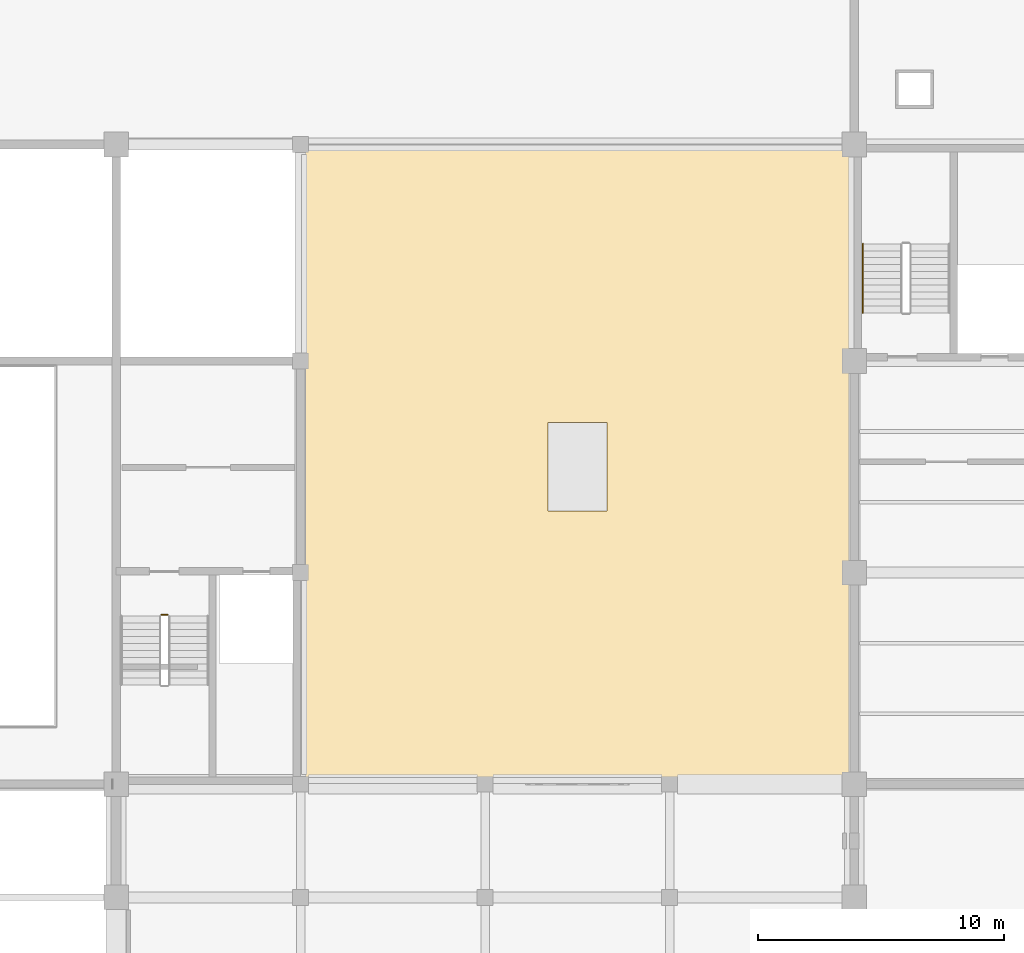
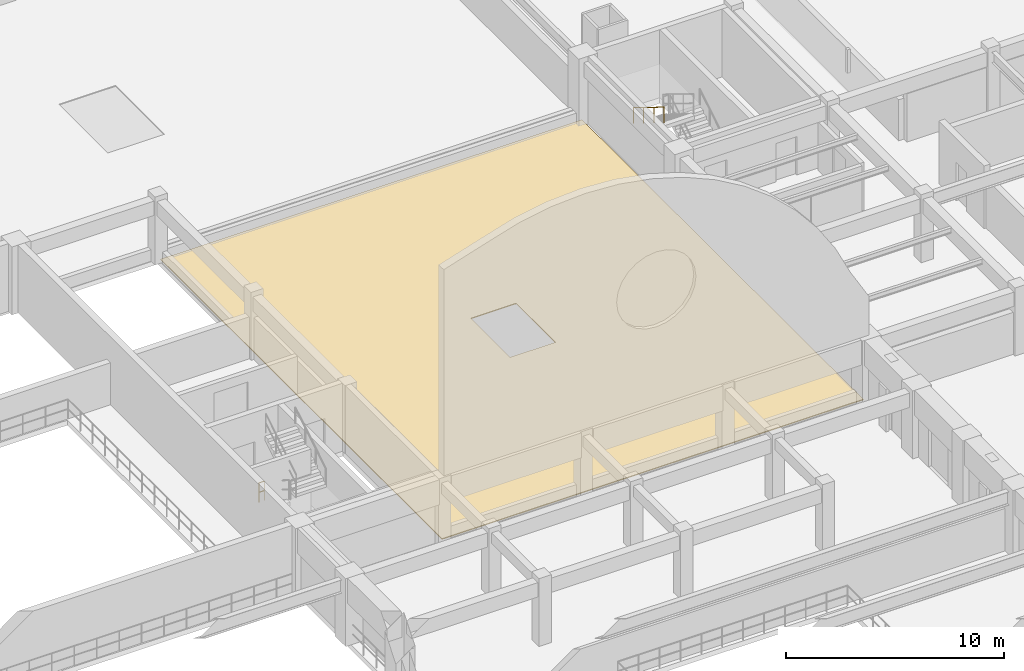
# One storey, part 72 of 74: 2 railings, 1 covering.
"""IFC4 building model written with IfcOpenShell, lengths in metres."""

import ifcopenshell
import ifcopenshell.guid

model = None  # the IFC model being written
_history = None  # IfcOwnerHistory: only IFC2X3 demands one
_inside = {}  # id of a spatial element -> (the spatial element, [elements in it])
_under = {}  # id of a project, library or spatial element -> (it, [spatial elements below it])
_declared = {}  # id of a project -> (the project, [libraries it declares])
_typed = {}  # id of a type object -> (the type object, [elements of that type])
_made_of = {}  # id of a material, layer set ... -> (it, [elements and type objects made of it])


def new_model(schema):
    """Start an empty IFC model of exactly this schema.

    Asked for "IFC4X3", IfcOpenShell would pick the latest addendum, in which some entities
    have other attributes; the version numbers below select the first issue.
    IFC2X3 requires an IfcOwnerHistory on every rooted entity: one is made here for all.
    """
    global model, _history
    if schema == "IFC4X3":
        model = ifcopenshell.file(schema_version=(4, 3, 0, 0))
    else:
        model = ifcopenshell.file(schema=schema)
    _inside.clear()
    _under.clear()
    _declared.clear()
    _typed.clear()
    _made_of.clear()
    _history = None
    if model.schema == "IFC2X3":
        org = make("IfcOrganization", Name="unknown")
        user = make(
            "IfcPersonAndOrganization",
            ThePerson=make("IfcPerson", FamilyName="unknown"),
            TheOrganization=org,
        )
        app = make(
            "IfcApplication",
            ApplicationDeveloper=org,
            Version="unknown",
            ApplicationFullName="unknown",
            ApplicationIdentifier="unknown",
        )
        _history = make(
            "IfcOwnerHistory",
            OwningUser=user,
            OwningApplication=app,
            ChangeAction="ADDED",
            CreationDate=0,
        )
    return model


def make(cls, **values):
    """One entity of the class cls with the attributes given. An attribute that is None is left unset."""
    return model.create_entity(
        cls, **{name: value for name, value in values.items() if value is not None}
    )


def rooted(cls, **values):
    """An entity with a GlobalId (a new one), such as an element, a storey or a relation."""
    return make(cls, GlobalId=ifcopenshell.guid.new(), OwnerHistory=_history, **values)


def si_unit(unit_type, name, prefix=None):
    """IfcSIUnit, for example si_unit("LENGTHUNIT", "METRE", prefix="MILLI")."""
    return make("IfcSIUnit", UnitType=unit_type, Prefix=prefix, Name=name)


def assignment(units):
    """IfcUnitAssignment: the units of a project."""
    return None if units is None else make("IfcUnitAssignment", Units=units)


def point(xyz):
    """IfcCartesianPoint."""
    return None if xyz is None else make("IfcCartesianPoint", Coordinates=xyz)


def direction(xyz):
    """IfcDirection."""
    return None if xyz is None else make("IfcDirection", DirectionRatios=xyz)


def frame(location, z_axis=None, x_axis=None):
    """IfcAxis2Placement3D, a coordinate frame: its origin and axes. An axis left out is left unset."""
    return make(
        "IfcAxis2Placement3D",
        Location=point(location),
        Axis=direction(z_axis),
        RefDirection=direction(x_axis),
    )


def frame_2d(location, x_axis=None):
    """IfcAxis2Placement2D, a coordinate frame in the plane: its origin and x axis."""
    return make(
        "IfcAxis2Placement2D", Location=point(location), RefDirection=direction(x_axis)
    )


def origin():
    """The frame at (0, 0, 0) with its axes left unset."""
    return frame((0.0, 0.0, 0.0))


def origin_2d():
    """The frame at (0, 0) in the plane with its x axis left unset."""
    return frame_2d((0.0, 0.0))


def place(relative_to, where):
    """IfcLocalPlacement: puts the frame where relative to a parent placement (None: the world)."""
    return make(
        "IfcLocalPlacement", PlacementRelTo=relative_to, RelativePlacement=where
    )


def context(
    kind, dimensions, precision=None, world=None, true_north=None, identifier=None
):
    """IfcGeometricRepresentationContext, for example the 3D "Model" context."""
    return make(
        "IfcGeometricRepresentationContext",
        ContextIdentifier=identifier,
        ContextType=kind,
        CoordinateSpaceDimension=dimensions,
        Precision=precision,
        WorldCoordinateSystem=world,
        TrueNorth=true_north,
    )


def subcontext(parent, identifier, kind, view, scale=None):
    """IfcGeometricRepresentationSubContext, for example "Body" below "Model"."""
    return make(
        "IfcGeometricRepresentationSubContext",
        ContextIdentifier=identifier,
        ContextType=kind,
        ParentContext=parent,
        TargetScale=scale,
        TargetView=view,
    )


def project(units=None, contexts=None):
    """IfcProject with its units and contexts."""
    return rooted(
        "IfcProject",
        Name="project",
        RepresentationContexts=contexts,
        UnitsInContext=assignment(units),
    )


def spatial(cls, under=None, at=None, **own):
    """A site, building, storey or space (cls), placed at a placement, below another one or the project."""
    s = rooted(cls, ObjectPlacement=at, **own)
    if under is not None:
        _under.setdefault(under.id(), (under, []))[1].append(s)
    return s


def polyline(points):
    """IfcPolyline through the points."""
    return make("IfcPolyline", Points=[point(p) for p in points])


def profile(cls, at=None, kind="AREA", **sizes):
    """A parametric profile (cls). Its sizes go by their IFC names, for example OverallWidth=200.0."""
    return make(cls, ProfileType=kind, Position=at, **sizes)


def circle(**sizes):
    """IfcCircleProfileDef."""
    return profile("IfcCircleProfileDef", **sizes)


def outline(outer, holes=None, kind="AREA"):
    """IfcArbitraryClosedProfileDef: a profile drawn as a closed curve; with holes, ...WithVoids."""
    if holes is None:
        return make("IfcArbitraryClosedProfileDef", ProfileType=kind, OuterCurve=outer)
    return make(
        "IfcArbitraryProfileDefWithVoids",
        ProfileType=kind,
        OuterCurve=outer,
        InnerCurves=holes,
    )


def extrude(swept, where, along, depth):
    """IfcExtrudedAreaSolid: the profile swept, set in the frame where, extruded along a direction by depth."""
    return make(
        "IfcExtrudedAreaSolid",
        SweptArea=swept,
        Position=where,
        ExtrudedDirection=direction(along),
        Depth=depth,
    )


def shape(context_of_items, identifier, shape_type, items):
    """IfcShapeRepresentation: the items that make up one representation, for example the "Body"."""
    return make(
        "IfcShapeRepresentation",
        ContextOfItems=context_of_items,
        RepresentationIdentifier=identifier,
        RepresentationType=shape_type,
        Items=items,
    )


def material(Name=None, Category=None):
    """IfcMaterial."""
    return make("IfcMaterial", Name=Name, Category=Category)


def layer(
    of_material, thickness, ventilated=None, Name=None, Category=None, Priority=None
):
    """IfcMaterialLayer: one layer of a wall or slab, of a material (None: an air gap)."""
    return make(
        "IfcMaterialLayer",
        Material=of_material,
        LayerThickness=thickness,
        IsVentilated=ventilated,
        Name=Name,
        Category=Category,
        Priority=Priority,
    )


def layer_set(layers, Name=None):
    """IfcMaterialLayerSet."""
    return make("IfcMaterialLayerSet", MaterialLayers=layers, LayerSetName=Name)


def made_of(thing, what):
    """Note that an element or type object is made of a material, layer set ...; save() writes the relation."""
    if what is not None:
        _made_of.setdefault(what.id(), (what, []))[1].append(thing)
    return thing


def type_object(cls, material=None, **own):
    """A type object (cls), such as IfcWallType, which elements share."""
    return made_of(rooted(cls, **own), material)


def element(
    cls,
    number,
    at=None,
    inside=None,
    cuts=None,
    type_object=None,
    material=None,
    context=None,
    identifier="Body",
    shape_type=None,
    held_by="IfcProductDefinitionShape",
    body=None,
    shapes=None,
    **own,
):
    """One element of the class cls, such as IfcWall. Its Tag is "e" and its number.

    at: its placement. inside: the storey or other place that contains it. cuts: it is an
    opening in that element (IfcRelVoidsElement). A single representation is given by context,
    identifier, shape_type and body (its items); several are given by shapes. held_by: the class
    of the entity that holds the representations. save() writes the other relations.
    """
    e = rooted(cls, Tag="e%d" % number, ObjectPlacement=at, **own)
    if body is not None:
        shapes = [shape(context, identifier, shape_type, body)]
    if shapes is not None:
        e.Representation = make(held_by, Representations=shapes)
    if inside is not None:
        _inside.setdefault(inside.id(), (inside, []))[1].append(e)
    if cuts is not None:
        rooted(
            "IfcRelVoidsElement", RelatingBuildingElement=cuts, RelatedOpeningElement=e
        )
    if type_object is not None:
        _typed.setdefault(type_object.id(), (type_object, []))[1].append(e)
    return made_of(e, material)


def aggregate(whole, parts):
    """IfcRelAggregates: a whole, such as a stair, and the parts it consists of."""
    return rooted("IfcRelAggregates", RelatingObject=whole, RelatedObjects=parts)


def save(model, path):
    """Write the relations noted so far, then the file.

    IfcRelAggregates (storeys below a building ...), IfcRelContainedInSpatialStructure (elements
    in a storey), IfcRelDefinesByType, IfcRelAssociatesMaterial and IfcRelDeclares: one each for
    every whole, place, type object, material and project.
    """
    for whole, parts in _under.values():
        aggregate(whole, parts)
    for where, things in _inside.values():
        rooted(
            "IfcRelContainedInSpatialStructure",
            RelatedElements=things,
            RelatingStructure=where,
        )
    for kind, things in _typed.values():
        rooted("IfcRelDefinesByType", RelatedObjects=things, RelatingType=kind)
    for what, things in _made_of.values():
        rooted("IfcRelAssociatesMaterial", RelatedObjects=things, RelatingMaterial=what)
    for by, libraries in _declared.values():
        rooted("IfcRelDeclares", RelatingContext=by, RelatedDefinitions=libraries)
    model.write(path)


model = new_model("IFC4")

# Units and contexts
model_context = context("Model", 3, precision=1e-05, world=origin(), true_north=direction((0.0, 1.0)))
body_context = subcontext(model_context, "Body", "Model", "MODEL_VIEW")
ifc_project = project(units=[si_unit("LENGTHUNIT", "METRE"), si_unit("AREAUNIT", "SQUARE_METRE"), si_unit("VOLUMEUNIT", "CUBIC_METRE"), si_unit("PLANEANGLEUNIT", "RADIAN"), si_unit("MASSUNIT", "GRAM", prefix="KILO")], contexts=[model_context])

# Site, building, storey
site_placement = place(None, origin())
site = spatial("IfcSite", under=ifc_project, at=site_placement, CompositionType="ELEMENT")
building_placement = place(site_placement, origin())
building = spatial("IfcBuilding", under=site, at=building_placement, Name="Muzn Square Opera House", CompositionType="ELEMENT")
storey_placement = place(building_placement, frame((0.0, 0.0, 14.199951171875)))
storey = spatial("IfcBuildingStorey", under=building, at=storey_placement, Name="L03", CompositionType="ELEMENT", Elevation=14.199951171875)

# Covering
ifc_material_1 = material(Name="Insulated roof membrane")
ifc_layer = layer(ifc_material_1, 0.050048828125, Name="Insulated roof membrane")
ifc_layer_set = layer_set([ifc_layer], Name="Insulated roof membrane")
covering_type = type_object("IfcCoveringType", Name="Insulated Flat Roof Membrane", PredefinedType="ROOFING", material=ifc_layer_set)
covering_placement = place(storey_placement, origin())
element("IfcCovering", 1, at=covering_placement, inside=storey, type_object=covering_type, Name="Flat Roof Membrane ROOF-L03-SIDEE", PredefinedType="ROOFING", context=body_context, shape_type="SweptSolid", body=[
    extrude(outline(polyline([(110.60009765625, 72.699951171875), (132.89990234375, 72.699951171875), (132.89990234375, 98.5), (110.60009765625, 98.5), (110.60009765625, 72.699951171875)]), holes=[polyline([(120.550048828125, 83.699951171875), (122.949951171875, 83.699951171875), (122.949951171875, 87.300048828125), (120.550048828125, 87.300048828125), (120.550048828125, 83.699951171875)])]), origin(), (0.0, 0.0, 1.0), 0.050048828125),
])

# Railings
ifc_material_2 = material(Name="Brushed stainless steel", Category="metal")
railing_type_1 = type_object("IfcRailingType", Name="Stair Guard Railing 1120mm", PredefinedType="GUARDRAIL", material=ifc_material_2)
railing_1_placement = place(storey_placement, frame((104.830078125, 79.489990234375, 0.0)))
element("IfcRailing", 2, at=railing_1_placement, inside=storey, type_object=railing_type_1, Name="L03 ST-2 stair guard 4", PredefinedType="GUARDRAIL", context=body_context, shape_type="SweptSolid", body=[
    extrude(circle(Radius=0.02392578125, at=origin_2d()), frame((0.0, 0.0, 1.076171875), z_axis=(1.0, 0.0, 0.0), x_axis=(0.0, 1.0, 0.0)), (0.0, 0.0, 1.0), 0.280029296875),
    extrude(circle(Radius=0.02392578125, at=origin_2d()), frame((0.0, 0.0, 0.550048828125), z_axis=(1.0, 0.0, 0.0), x_axis=(0.0, 1.0, 0.0)), (0.0, 0.0, 1.0), 0.280029296875),
    extrude(circle(Radius=0.02099609375, at=origin_2d()), origin(), (0.0, 0.0, 1.0), 1.052001953125),
    extrude(circle(Radius=0.02099609375, at=origin_2d()), frame((0.280029296875, 0.0, 0.0)), (0.0, 0.0, 1.0), 1.052001953125),
])
railing_type_2 = type_object("IfcRailingType", Name="Stair Pitch Handrail 900mm", PredefinedType="HANDRAIL", material=ifc_material_2)
railing_2_placement = place(storey_placement, frame((133.35009765625, 94.56005859375, 2.07275390625)))
element("IfcRailing", 3, at=railing_2_placement, inside=storey, type_object=railing_type_2, Name="L03 ST-5 stair handrail 2", PredefinedType="HANDRAIL", context=body_context, shape_type="SweptSolid", body=[
    extrude(circle(Radius=0.02392578125, at=origin_2d()), frame((0.0, 0.0, 0.8759765625), z_axis=(0.0, -0.851089632645, 0.525020415988), x_axis=(1.0, 0.0, 0.0)), (0.0, 0.0, 1.0), 3.2900390625),
    extrude(circle(Radius=0.02099609375, at=origin_2d()), origin(), (0.0, 0.0, 1.0), 0.851806640625),
    extrude(circle(Radius=0.02099609375, at=origin_2d()), frame((0.0, -0.933349609375, 0.57568359375)), (0.0, 0.0, 1.0), 0.851806640625),
    extrude(circle(Radius=0.02099609375, at=origin_2d()), frame((0.0, -1.86669921875, 1.151611328125)), (0.0, 0.0, 1.0), 0.851806640625),
    extrude(circle(Radius=0.02099609375, at=origin_2d()), frame((0.0, -2.800048828125, 1.727294921875)), (0.0, 0.0, 1.0), 0.851806640625),
])

save(model, "model.ifc")
